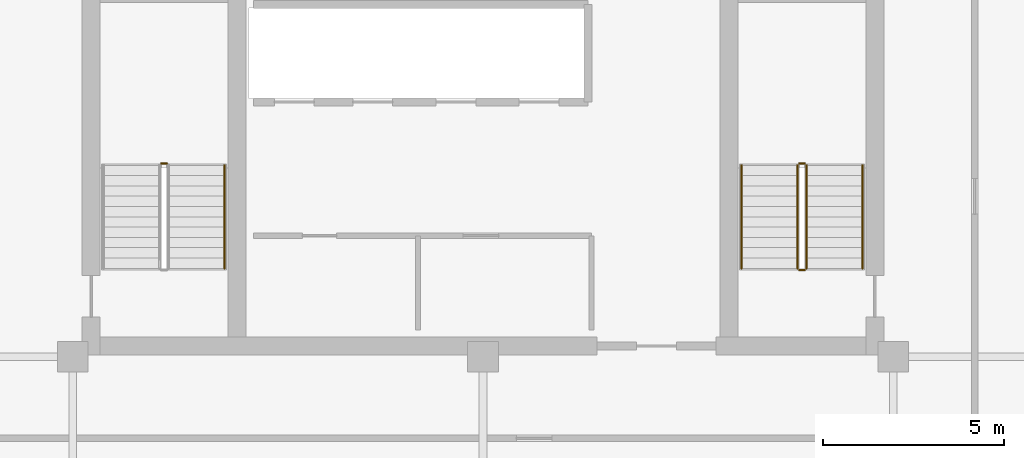
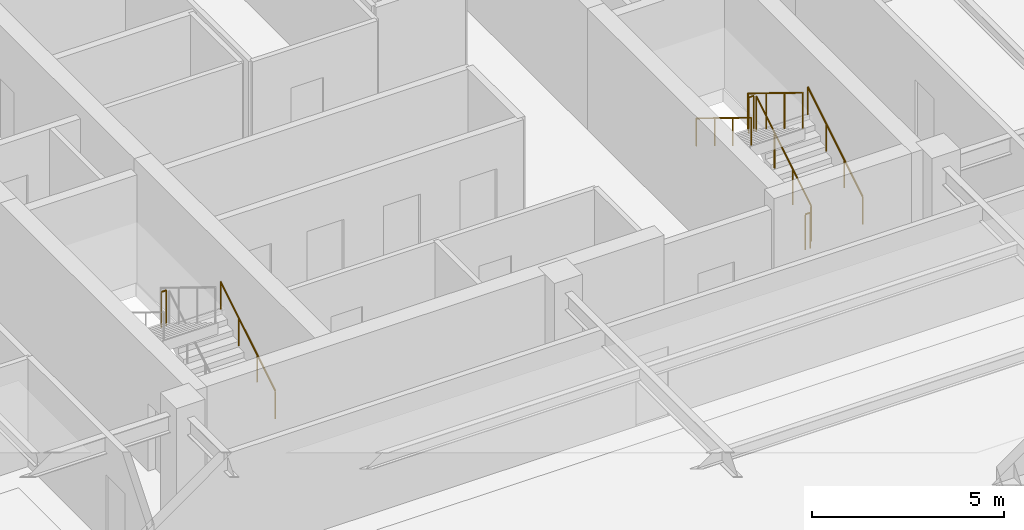
# One storey, part 8 of 9: 8 railings.
"""IFC4 building model written with IfcOpenShell, lengths in metres."""

from ifc_helpers import new_model, si_unit, direction, frame, origin, origin_2d, place, context, subcontext, project, spatial, circle, extrude, material, type_object, element, save


model = new_model("IFC4")

# Units and contexts
model_context = context("Model", 3, precision=1e-05, world=origin(), true_north=direction((0.0, 1.0)))
body_context = subcontext(model_context, "Body", "Model", "MODEL_VIEW")
ifc_project = project(units=[si_unit("LENGTHUNIT", "METRE"), si_unit("AREAUNIT", "SQUARE_METRE"), si_unit("VOLUMEUNIT", "CUBIC_METRE"), si_unit("PLANEANGLEUNIT", "RADIAN"), si_unit("MASSUNIT", "GRAM", prefix="KILO")], contexts=[model_context])

# Site, building, storey
site_placement = place(None, origin())
site = spatial("IfcSite", under=ifc_project, at=site_placement, CompositionType="ELEMENT")
building_placement = place(site_placement, origin())
building = spatial("IfcBuilding", under=site, at=building_placement, Name="Nhamokura Convention Tower", CompositionType="ELEMENT")
storey_placement = place(building_placement, frame((0.0, 0.0, 186.89990234375)))
storey = spatial("IfcBuildingStorey", under=building, at=storey_placement, Name="L45", CompositionType="ELEMENT", Elevation=186.89990234375)

# Railings
ifc_material_1 = material(Name="Anodised bronze stainless steel", Category="steel")
railing_type_1 = type_object("IfcRailingType", Name="StairWallHandrail_900", PredefinedType="HANDRAIL", material=ifc_material_1)
for number, where, name in (
    (1, (24.85009765625, 23.10009765625, 0.175048828125), "L45 ST-01 stair handrail 1"),
    (2, (42.5, 23.10009765625, 0.175048828125), "L45 ST-02 stair handrail 1"),
):
    element("IfcRailing", number, at=place(storey_placement, frame(where)), inside=storey, type_object=railing_type_1, Name=name, PredefinedType="HANDRAIL", context=body_context, shape_type="SweptSolid", body=[
        extrude(circle(Radius=0.02392578125, at=origin_2d()), frame((0.0, 0.0, 0.8759765625), z_axis=(0.0, 0.852159232446, 0.523282564737), x_axis=(-1.0, 0.0, 0.0)), (0.0, 0.0, 1.0), 3.34423828125),
        extrude(circle(Radius=0.02099609375, at=origin_2d()), origin(), (0.0, 0.0, 1.0), 0.851806640625),
        extrude(circle(Radius=0.02099609375, at=origin_2d()), frame((0.0, 0.949951171875, 0.583251953125)), (0.0, 0.0, 1.0), 0.851806640625),
        extrude(circle(Radius=0.02099609375, at=origin_2d()), frame((0.0, 1.89990234375, 1.166748046875)), (0.0, 0.0, 1.0), 0.851806640625),
        extrude(circle(Radius=0.02099609375, at=origin_2d()), frame((0.0, 2.849853515625, 1.75)), (0.0, 0.0, 1.0), 0.851806640625),
    ])
railing_1_placement = place(storey_placement, frame((39.14990234375, 25.949951171875, 2.10009765625)))
element("IfcRailing", 3, at=railing_1_placement, inside=storey, type_object=railing_type_1, Name="L45 ST-02 stair handrail 2", PredefinedType="HANDRAIL", context=body_context, shape_type="SweptSolid", body=[
    extrude(circle(Radius=0.02392578125, at=origin_2d()), frame((0.0, 0.0, 0.8759765625), z_axis=(0.0, -0.852159232446, 0.523282564737), x_axis=(1.0, 0.0, 0.0)), (0.0, 0.0, 1.0), 3.34423828125),
    extrude(circle(Radius=0.02099609375, at=origin_2d()), origin(), (0.0, 0.0, 1.0), 0.851806640625),
    extrude(circle(Radius=0.02099609375, at=origin_2d()), frame((0.0, -0.949951171875, 0.583251953125)), (0.0, 0.0, 1.0), 0.851806640625),
    extrude(circle(Radius=0.02099609375, at=origin_2d()), frame((0.0, -1.89990234375, 1.166748046875)), (0.0, 0.0, 1.0), 0.851806640625),
    extrude(circle(Radius=0.02099609375, at=origin_2d()), frame((0.0, -2.849853515625, 1.75)), (0.0, 0.0, 1.0), 0.851806640625),
])
ifc_material_2 = material(Name="Painted tubular steel", Category="steel")
railing_type_2 = type_object("IfcRailingType", Name="StairWellGuardrail_1150", PredefinedType="GUARDRAIL", material=ifc_material_2)
railing_2_placement = place(storey_placement, frame((23.25, 26.0, 1.925048828125)))
element("IfcRailing", 4, at=railing_2_placement, inside=storey, type_object=railing_type_2, Name="L45 ST-01 stair guard 2", PredefinedType="GUARDRAIL", context=body_context, shape_type="SweptSolid", body=[
    extrude(circle(Radius=0.02392578125, at=origin_2d()), frame((0.0, 0.0, 1.1259765625), z_axis=(-1.0, 0.0, 0.0), x_axis=(0.0, -1.0, 0.0)), (0.0, 0.0, 1.0), 0.14990234375),
    extrude(circle(Radius=0.02099609375, at=origin_2d()), origin(), (0.0, 0.0, 1.0), 1.101806640625),
    extrude(circle(Radius=0.02099609375, at=origin_2d()), frame((-0.14990234375, 0.0, 0.0)), (0.0, 0.0, 1.0), 1.101806640625),
])
railing_3_placement = place(storey_placement, frame((40.949951171875, 23.10009765625, 0.175048828125)))
element("IfcRailing", 5, at=railing_3_placement, inside=storey, type_object=railing_type_2, Name="L45 ST-02 stair guard 1", PredefinedType="GUARDRAIL", context=body_context, shape_type="SweptSolid", body=[
    extrude(circle(Radius=0.02392578125, at=origin_2d()), frame((0.0, 0.0, 1.1259765625), z_axis=(0.0, 0.852159232446, 0.523282564737), x_axis=(-1.0, 0.0, 0.0)), (0.0, 0.0, 1.0), 3.34423828125),
    extrude(circle(Radius=0.02099609375, at=origin_2d()), origin(), (0.0, 0.0, 1.0), 1.101806640625),
    extrude(circle(Radius=0.02099609375, at=origin_2d()), frame((0.0, 0.949951171875, 0.583251953125)), (0.0, 0.0, 1.0), 1.101806640625),
    extrude(circle(Radius=0.02099609375, at=origin_2d()), frame((0.0, 1.89990234375, 1.166748046875)), (0.0, 0.0, 1.0), 1.101806640625),
    extrude(circle(Radius=0.02099609375, at=origin_2d()), frame((0.0, 2.849853515625, 1.75)), (0.0, 0.0, 1.0), 1.101806640625),
])
railing_4_placement = place(storey_placement, frame((40.89990234375, 26.0, 1.925048828125)))
element("IfcRailing", 6, at=railing_4_placement, inside=storey, type_object=railing_type_2, Name="L45 ST-02 stair guard 2", PredefinedType="GUARDRAIL", context=body_context, shape_type="SweptSolid", body=[
    extrude(circle(Radius=0.02392578125, at=origin_2d()), frame((0.0, 0.0, 1.1259765625), z_axis=(-1.0, 0.0, 0.0), x_axis=(0.0, -1.0, 0.0)), (0.0, 0.0, 1.0), 0.14990234375),
    extrude(circle(Radius=0.02099609375, at=origin_2d()), origin(), (0.0, 0.0, 1.0), 1.101806640625),
    extrude(circle(Radius=0.02099609375, at=origin_2d()), frame((-0.14990234375, 0.0, 0.0)), (0.0, 0.0, 1.0), 1.101806640625),
])
railing_5_placement = place(storey_placement, frame((40.699951171875, 25.949951171875, 2.10009765625)))
element("IfcRailing", 7, at=railing_5_placement, inside=storey, type_object=railing_type_2, Name="L45 ST-02 stair guard 3", PredefinedType="GUARDRAIL", context=body_context, shape_type="SweptSolid", body=[
    extrude(circle(Radius=0.02392578125, at=origin_2d()), frame((0.0, 0.0, 1.1259765625), z_axis=(0.0, -0.852159232446, 0.523282564737), x_axis=(1.0, 0.0, 0.0)), (0.0, 0.0, 1.0), 3.34423828125),
    extrude(circle(Radius=0.02099609375, at=origin_2d()), origin(), (0.0, 0.0, 1.0), 1.101806640625),
    extrude(circle(Radius=0.02099609375, at=origin_2d()), frame((0.0, -0.949951171875, 0.583251953125)), (0.0, 0.0, 1.0), 1.101806640625),
    extrude(circle(Radius=0.02099609375, at=origin_2d()), frame((0.0, -1.89990234375, 1.166748046875)), (0.0, 0.0, 1.0), 1.101806640625),
    extrude(circle(Radius=0.02099609375, at=origin_2d()), frame((0.0, -2.849853515625, 1.75)), (0.0, 0.0, 1.0), 1.101806640625),
])
railing_6_placement = place(storey_placement, frame((40.89990234375, 23.050048828125, 0.0)))
element("IfcRailing", 8, at=railing_6_placement, inside=storey, type_object=railing_type_2, Name="L45 ST-02 stair guard 4", PredefinedType="GUARDRAIL", context=body_context, shape_type="SweptSolid", body=[
    extrude(circle(Radius=0.02392578125, at=origin_2d()), frame((0.0, 0.0, 1.1259765625), z_axis=(-1.0, 0.0, 0.0), x_axis=(0.0, -1.0, 0.0)), (0.0, 0.0, 1.0), 0.14990234375),
    extrude(circle(Radius=0.02099609375, at=origin_2d()), origin(), (0.0, 0.0, 1.0), 1.101806640625),
    extrude(circle(Radius=0.02099609375, at=origin_2d()), frame((-0.14990234375, 0.0, 0.0)), (0.0, 0.0, 1.0), 1.101806640625),
])

save(model, "model.ifc")
